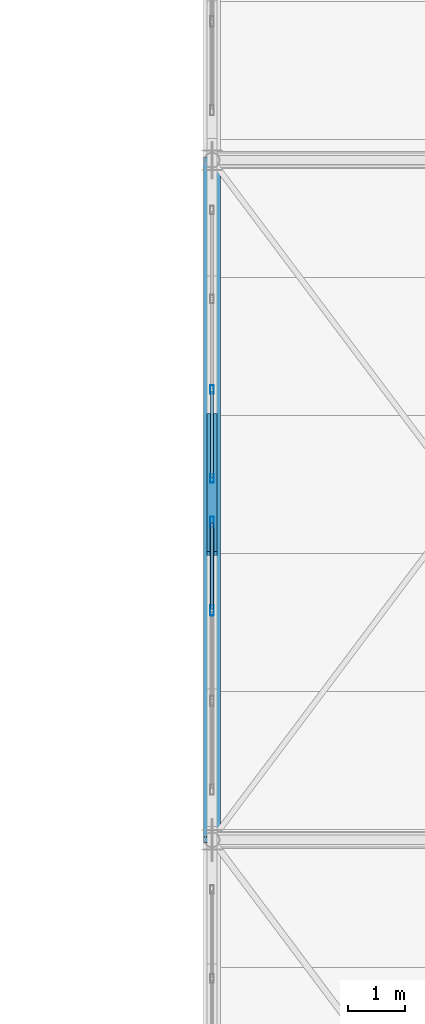
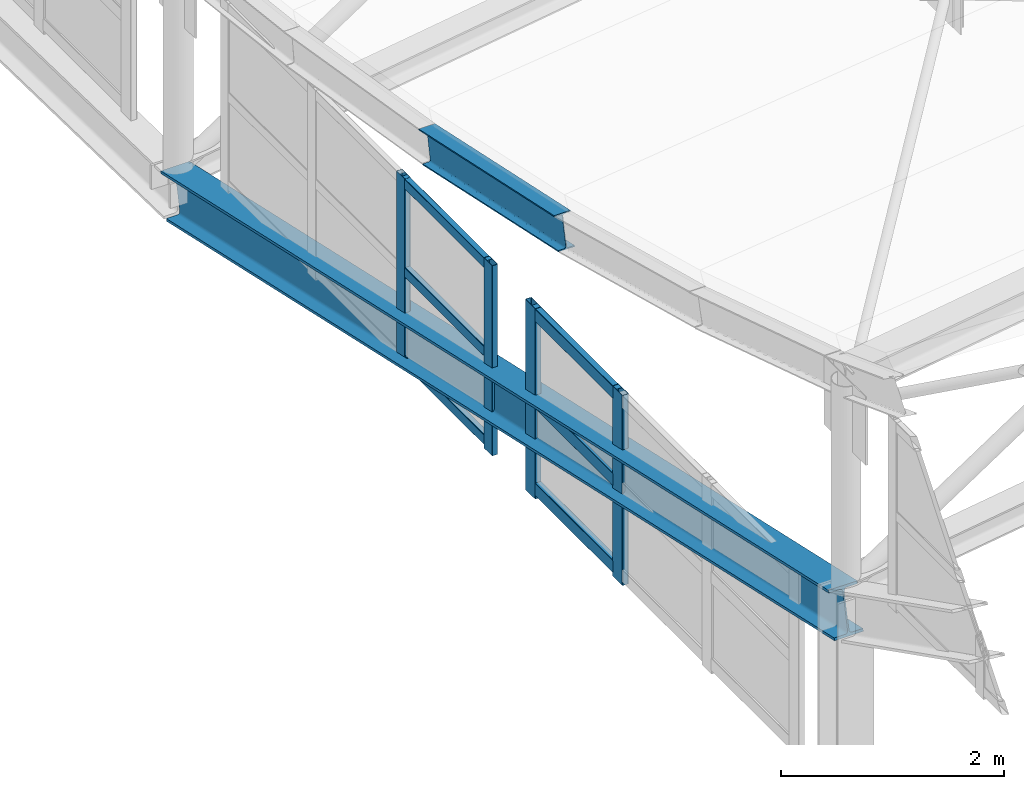
# One storey, part 79 of 262: 11 members, 1 beam, 2 elements without a shape of their own.
"""IFC4 building model written with IfcOpenShell, lengths in metres."""

from ifc_helpers import new_model, si_unit, derived_unit, direction, frame, origin, origin_2d, place, context, subcontext, project, spatial, hollow_rectangle, i_section, extrude, material, layer, layer_set, material_profile, profile_set, type_object, element, aggregate, save


model = new_model("IFC4")

# Units and contexts
model_context = context("Model", 3, precision=1e-05, world=origin(), true_north=direction((0.0, 1.0)))
body_context = subcontext(model_context, "Body", "Model", "MODEL_VIEW")
ifc_project = project(units=[si_unit("LENGTHUNIT", "METRE"), si_unit("AREAUNIT", "SQUARE_METRE"), si_unit("VOLUMEUNIT", "CUBIC_METRE"), si_unit("PLANEANGLEUNIT", "RADIAN"), si_unit("MASSUNIT", "GRAM", prefix="KILO"), derived_unit("THERMALTRANSMITTANCEUNIT", [(si_unit("POWERUNIT", "WATT"), 1), (si_unit("LENGTHUNIT", "METRE"), -2), (si_unit("THERMODYNAMICTEMPERATUREUNIT", "KELVIN"), -1)])], contexts=[model_context])

# Site, building, storey
site_placement = place(None, origin())
site = spatial("IfcSite", under=ifc_project, at=site_placement, CompositionType="ELEMENT")
building_placement = place(site_placement, origin())
building = spatial("IfcBuilding", under=site, at=building_placement, Name="Almenara Railside Exhibition Hall", CompositionType="ELEMENT")
storey_placement = place(building_placement, frame((0.0, 0.0, 21.699951171875)))
storey = spatial("IfcBuildingStorey", under=building, at=storey_placement, Name="RF", CompositionType="ELEMENT", Elevation=21.699951171875)

# Curtain wall, members
ifc_material_1 = material(Name="Bronze-anodised aluminium and low-E double glazing", Category="aluminium")
ifc_layer = layer(ifc_material_1, 0.179931640625, Name="Bronze-anodised aluminium and low-E double glazing")
ifc_layer_set = layer_set([ifc_layer], Name="Bronze-anodised aluminium and low-E double glazing")
curtain_wall_type = type_object("IfcCurtainWallType", Name="West Hall Clerestory Curtain Wall 4200x2400", PredefinedType="NOTDEFINED", material=ifc_layer_set)
curtain_wall_1_placement = place(storey_placement, origin())
curtain_wall_1 = element("IfcCurtainWall", 1, at=curtain_wall_1_placement, inside=storey, type_object=curtain_wall_type, Name="Curtain wall CW-CL1-173", PredefinedType="NOTDEFINED")
ifc_material_2 = material(Name="Bronze-anodised aluminium", Category="aluminium")
ifc_material_profile_1 = material_profile(ifc_material_2, hollow_rectangle(XDim=0.06005859375, YDim=0.14990234375, WallThickness=0.00341796875, InnerFilletRadius=0.00341796875, OuterFilletRadius=0.007080078125, at=origin_2d()), Name="ALU-MUL 60x150x3.5")
ifc_profile_set_1 = profile_set([ifc_material_profile_1], Name="Bronze-anodised aluminium")
member_type_1 = type_object("IfcMemberType", Name="Curtain Wall Mullion 60x150x3.5", PredefinedType="MULLION", material=ifc_profile_set_1)
member_1_placement = place(storey_placement, frame((12.0, 66.3798828125, -1.824951171875), z_axis=(0.0, 0.0, 1.0), x_axis=(-1.0, 0.0, 0.0)))
member_1 = element("IfcMember", 2, at=member_1_placement, type_object=member_type_1, Name="CW-CL1-173 mullion 1", PredefinedType="MULLION", context=body_context, shape_type="SweptSolid", body=[
    extrude(hollow_rectangle(XDim=0.06005859375, YDim=0.14990234375, WallThickness=0.00341796875, InnerFilletRadius=0.00341796875, OuterFilletRadius=0.007080078125, at=origin_2d()), origin(), (0.0, 0.0, 1.0), 2.0849609375),
])
member_2_placement = place(storey_placement, frame((12.0, 67.949951171875, -1.824951171875), z_axis=(0.0, 0.0, 1.0), x_axis=(-1.0, 0.0, 0.0)))
member_2 = element("IfcMember", 3, at=member_2_placement, type_object=member_type_1, Name="CW-CL1-173 mullion 2", PredefinedType="MULLION", context=body_context, shape_type="SweptSolid", body=[
    extrude(hollow_rectangle(XDim=0.06005859375, YDim=0.14990234375, WallThickness=0.00341796875, InnerFilletRadius=0.00341796875, OuterFilletRadius=0.007080078125, at=origin_2d()), origin(), (0.0, 0.0, 1.0), 2.0849609375),
])

curtain_wall_2_placement = place(storey_placement, origin())
curtain_wall_2 = element("IfcCurtainWall", 4, at=curtain_wall_2_placement, inside=storey, type_object=curtain_wall_type, Name="Curtain wall CW-CL1-172", PredefinedType="NOTDEFINED")
ifc_material_profile_2 = material_profile(ifc_material_2, hollow_rectangle(XDim=0.06494140625, YDim=0.179931640625, WallThickness=0.00390625, InnerFilletRadius=0.00390625, OuterFilletRadius=0.008056640625, at=origin_2d()), Name="ALU-MUL 65x180x4")
ifc_profile_set_2 = profile_set([ifc_material_profile_2], Name="Bronze-anodised aluminium")
member_type_2 = type_object("IfcMemberType", Name="Curtain Wall Mullion 65x180x4", PredefinedType="MULLION", material=ifc_profile_set_2)
member_3_placement = place(storey_placement, frame((12.0, 64.050048828125, -1.824951171875), z_axis=(0.0, 0.0, 1.0), x_axis=(-1.0, 0.0, 0.0)))
member_3 = element("IfcMember", 5, at=member_3_placement, type_object=member_type_2, Name="CW-CL1-172 mullion 3", PredefinedType="MULLION", context=body_context, shape_type="SweptSolid", body=[
    extrude(hollow_rectangle(XDim=0.06494140625, YDim=0.179931640625, WallThickness=0.00390625, InnerFilletRadius=0.00390625, OuterFilletRadius=0.008056640625, at=origin_2d()), origin(), (0.0, 0.0, 1.0), 2.0849609375),
])
member_4_placement = place(storey_placement, frame((12.0, 65.617431640625, -1.824951171875), z_axis=(0.0, 0.0, 1.0), x_axis=(-1.0, 0.0, 0.0)))
member_4 = element("IfcMember", 6, at=member_4_placement, type_object=member_type_2, Name="CW-CL1-172 mullion 4", PredefinedType="MULLION", context=body_context, shape_type="SweptSolid", body=[
    extrude(hollow_rectangle(XDim=0.06494140625, YDim=0.179931640625, WallThickness=0.00390625, InnerFilletRadius=0.00390625, OuterFilletRadius=0.008056640625, at=origin_2d()), origin(), (0.0, 0.0, 1.0), 2.0849609375),
])

# Member
ifc_material_profile_3 = material_profile(ifc_material_2, hollow_rectangle(XDim=0.06005859375, YDim=0.110107421875, WallThickness=0.0029296875, InnerFilletRadius=0.0029296875, OuterFilletRadius=0.006103515625, at=origin_2d()), Name="ALU-TRN 60x110x3")
ifc_profile_set_3 = profile_set([ifc_material_profile_3], Name="Bronze-anodised aluminium")
member_type_3 = type_object("IfcMemberType", Name="Curtain Wall Transom 60x110x3", PredefinedType="USERDEFINED", material=ifc_profile_set_3)
member_5_placement = place(storey_placement, frame((12.0, 66.402099609375, -1.73486328125), z_axis=(0.0, 1.0, 0.0), x_axis=(-1.0, 0.0, 0.0)))
member_5 = element("IfcMember", 7, at=member_5_placement, type_object=member_type_3, Name="CW-CL1-173 transom 1.1", ObjectType="TRANSOM", PredefinedType="USERDEFINED", context=body_context, shape_type="SweptSolid", body=[
    extrude(hollow_rectangle(XDim=0.06005859375, YDim=0.110107421875, WallThickness=0.0029296875, InnerFilletRadius=0.0029296875, OuterFilletRadius=0.006103515625, at=origin_2d()), origin(), (0.0, 0.0, 1.0), 1.52587890625),
])

member_6_placement = place(storey_placement, frame((12.0, 66.402099609375, -0.764892578125), z_axis=(0.0, 1.0, 0.0), x_axis=(-1.0, 0.0, 0.0)))
member_6 = element("IfcMember", 8, at=member_6_placement, type_object=member_type_3, Name="CW-CL1-173 transom 1.2", ObjectType="TRANSOM", PredefinedType="USERDEFINED", context=body_context, shape_type="SweptSolid", body=[
    extrude(hollow_rectangle(XDim=0.06005859375, YDim=0.110107421875, WallThickness=0.0029296875, InnerFilletRadius=0.0029296875, OuterFilletRadius=0.006103515625, at=origin_2d()), origin(), (0.0, 0.0, 1.0), 1.52587890625),
])

member_7_placement = place(storey_placement, frame((12.0, 66.402099609375, 0.205078125), z_axis=(0.0, 1.0, 0.0), x_axis=(-1.0, 0.0, 0.0)))
member_7 = element("IfcMember", 9, at=member_7_placement, type_object=member_type_3, Name="CW-CL1-173 transom 1.3", ObjectType="TRANSOM", PredefinedType="USERDEFINED", context=body_context, shape_type="SweptSolid", body=[
    extrude(hollow_rectangle(XDim=0.06005859375, YDim=0.110107421875, WallThickness=0.0029296875, InnerFilletRadius=0.0029296875, OuterFilletRadius=0.006103515625, at=origin_2d()), origin(), (0.0, 0.0, 1.0), 1.52587890625),
])

aggregate(curtain_wall_1, [member_1, member_2, member_5, member_6, member_7])

ifc_material_profile_4 = material_profile(ifc_material_2, hollow_rectangle(XDim=0.06494140625, YDim=0.139892578125, WallThickness=0.00341796875, InnerFilletRadius=0.00341796875, OuterFilletRadius=0.007080078125, at=origin_2d()), Name="ALU-TRN 65x140x3.5")
ifc_profile_set_4 = profile_set([ifc_material_profile_4], Name="Bronze-anodised aluminium")
member_type_4 = type_object("IfcMemberType", Name="Curtain Wall Transom 65x140x3.5", PredefinedType="USERDEFINED", material=ifc_profile_set_4)
member_8_placement = place(storey_placement, frame((12.0, 64.074462890625, -1.719970703125), z_axis=(0.0, 1.0, 0.0), x_axis=(-1.0, 0.0, 0.0)))
member_8 = element("IfcMember", 10, at=member_8_placement, type_object=member_type_4, Name="CW-CL1-172 transom 3.1", ObjectType="TRANSOM", PredefinedType="USERDEFINED", context=body_context, shape_type="SweptSolid", body=[
    extrude(hollow_rectangle(XDim=0.06494140625, YDim=0.139892578125, WallThickness=0.00341796875, InnerFilletRadius=0.00341796875, OuterFilletRadius=0.007080078125, at=origin_2d()), origin(), (0.0, 0.0, 1.0), 1.5185546875),
])

member_9_placement = place(storey_placement, frame((12.0, 64.074462890625, -0.764892578125), z_axis=(0.0, 1.0, 0.0), x_axis=(-1.0, 0.0, 0.0)))
member_9 = element("IfcMember", 11, at=member_9_placement, type_object=member_type_4, Name="CW-CL1-172 transom 3.2", ObjectType="TRANSOM", PredefinedType="USERDEFINED", context=body_context, shape_type="SweptSolid", body=[
    extrude(hollow_rectangle(XDim=0.06494140625, YDim=0.139892578125, WallThickness=0.00341796875, InnerFilletRadius=0.00341796875, OuterFilletRadius=0.007080078125, at=origin_2d()), origin(), (0.0, 0.0, 1.0), 1.5185546875),
])

member_10_placement = place(storey_placement, frame((12.0, 64.074462890625, 0.18994140625), z_axis=(0.0, 1.0, 0.0), x_axis=(-1.0, 0.0, 0.0)))
member_10 = element("IfcMember", 12, at=member_10_placement, type_object=member_type_4, Name="CW-CL1-172 transom 3.3", ObjectType="TRANSOM", PredefinedType="USERDEFINED", context=body_context, shape_type="SweptSolid", body=[
    extrude(hollow_rectangle(XDim=0.06494140625, YDim=0.139892578125, WallThickness=0.00341796875, InnerFilletRadius=0.00341796875, OuterFilletRadius=0.007080078125, at=origin_2d()), origin(), (0.0, 0.0, 1.0), 1.5185546875),
])

aggregate(curtain_wall_2, [member_3, member_4, member_8, member_9, member_10])

ifc_material_3 = material(Name="Structural steel S355JR", Category="steel")
ifc_material_profile_5 = material_profile(ifc_material_3, i_section(OverallWidth=0.169921875, OverallDepth=0.360107421875, WebThickness=0.008056640625, FlangeThickness=0.0126953125, FilletRadius=0.01806640625, at=origin_2d()), Name="IPE 360")
ifc_profile_set_5 = profile_set([ifc_material_profile_5], Name="Structural steel S355JR")
member_type_5 = type_object("IfcMemberType", Name="Long-Span Scroll Purlin IPE 360 S355JR", PredefinedType="PURLIN", material=ifc_profile_set_5)
member_11_placement = place(storey_placement, frame((12.0, 65.056884765625, 1.388427734375), z_axis=(0.0, 0.977516294467, -0.210859891994), x_axis=(-1.0, 0.0, 0.0)))
element("IfcMember", 13, at=member_11_placement, inside=storey, type_object=member_type_5, Name="MEM-PR-V1-PR-IPE360-00-07", PredefinedType="PURLIN", context=body_context, shape_type="SweptSolid", body=[
    extrude(i_section(OverallWidth=0.169921875, OverallDepth=0.360107421875, WebThickness=0.008056640625, FlangeThickness=0.0126953125, FilletRadius=0.01806640625, at=origin_2d()), origin(), (0.0, 0.0, 1.0), 2.492919921875),
])

# Beam
ifc_material_profile_6 = material_profile(ifc_material_3, i_section(OverallWidth=0.300048828125, OverallDepth=0.5, WebThickness=0.014404296875, FlangeThickness=0.028076171875, FilletRadius=0.027099609375, at=origin_2d()), Name="HEB 500")
ifc_profile_set_6 = profile_set([ifc_material_profile_6], Name="Structural steel S355JR")
beam_type = type_object("IfcBeamType", Name="Steel Heavy Eaves Girder HEB 500 S355JR", PredefinedType="USERDEFINED", material=ifc_profile_set_6)
beam_placement = place(storey_placement, frame((12.0, 60.0, 0.291259765625), z_axis=(0.0, 0.976017158666, -0.217693605763), x_axis=(-1.0, 0.0, 0.0)))
element("IfcBeam", 14, at=beam_placement, inside=storey, type_object=beam_type, Name="Beam 0963", ObjectType="GIRDER", PredefinedType="USERDEFINED", context=body_context, shape_type="SweptSolid", body=[
    extrude(i_section(OverallWidth=0.300048828125, OverallDepth=0.5, WebThickness=0.014404296875, FlangeThickness=0.028076171875, FilletRadius=0.027099609375, at=origin_2d()), origin(), (0.0, 0.0, 1.0), 12.294921875),
])

save(model, "model.ifc")
